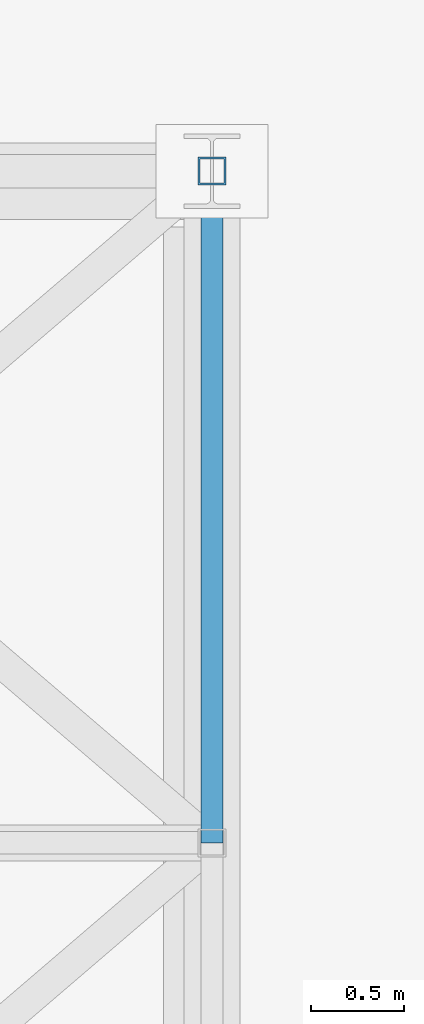
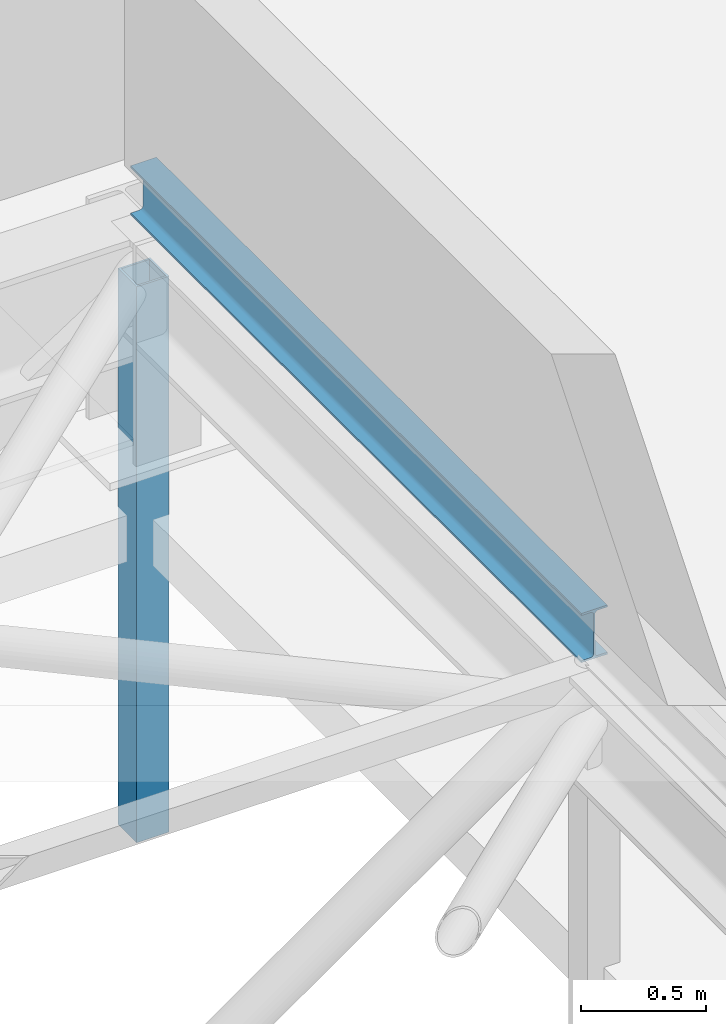
# One storey, part 29 of 45: 2 members.
"""IFC4 building model written with IfcOpenShell, lengths in metres."""

from ifc_helpers import new_model, si_unit, derived_unit, direction, frame, origin, origin_2d, place, context, subcontext, project, spatial, hollow_rectangle, i_section, extrude, material, material_profile, profile_set, type_object, element, save


model = new_model("IFC4")

# Units and contexts
model_context = context("Model", 3, precision=1e-05, world=origin(), true_north=direction((0.0, 1.0)))
body_context = subcontext(model_context, "Body", "Model", "MODEL_VIEW")
ifc_project = project(units=[si_unit("LENGTHUNIT", "METRE"), si_unit("AREAUNIT", "SQUARE_METRE"), si_unit("VOLUMEUNIT", "CUBIC_METRE"), si_unit("PLANEANGLEUNIT", "RADIAN"), si_unit("MASSUNIT", "GRAM", prefix="KILO"), derived_unit("THERMALTRANSMITTANCEUNIT", [(si_unit("MASSUNIT", "GRAM", prefix="KILO"), 1), (si_unit("TIMEUNIT", "SECOND"), -3), (si_unit("THERMODYNAMICTEMPERATUREUNIT", "KELVIN"), -1)])], contexts=[model_context])

# Site, building, storey
site_placement = place(None, origin())
site = spatial("IfcSite", under=ifc_project, at=site_placement, CompositionType="ELEMENT")
building_placement = place(site_placement, origin())
building = spatial("IfcBuilding", under=site, at=building_placement, Name="Veldstrom Oceanarium and Marine Research Institute", CompositionType="ELEMENT")
storey_placement = place(building_placement, frame((0.0, 0.0, 22.199951171875)))
storey = spatial("IfcBuildingStorey", under=building, at=storey_placement, Name="L04", CompositionType="ELEMENT", Elevation=22.199951171875)

# Members
ifc_material_1 = material(Name="Steel S355JR", Category="steel")
ifc_material_profile_1 = material_profile(ifc_material_1, i_section(OverallWidth=0.1201171875, OverallDepth=0.239990234375, WebThickness=0.006103515625, FlangeThickness=0.009765625, FilletRadius=0.014892578125, at=origin_2d()), Name="IPE 240")
ifc_profile_set_1 = profile_set([ifc_material_profile_1], Name="Steel S355JR")
member_type_1 = type_object("IfcMemberType", Name="STR-MEM-PR1", PredefinedType="PURLIN", material=ifc_profile_set_1)
member_1_placement = place(storey_placement, frame((42.0, 54.0, 1.22998046875), z_axis=(0.0, 1.0, 0.0), x_axis=(-1.0, 0.0, 0.0)))
element("IfcMember", 1, at=member_1_placement, inside=storey, type_object=member_type_1, Name="Hall Roof Purlin PR-13-9", PredefinedType="PURLIN", context=body_context, shape_type="SweptSolid", body=[
    extrude(i_section(OverallWidth=0.1201171875, OverallDepth=0.239990234375, WebThickness=0.006103515625, FlangeThickness=0.009765625, FilletRadius=0.014892578125, at=origin_2d()), origin(), (0.0, 0.0, 1.0), 3.60009765625),
])
ifc_material_2 = material(Name="Steel S355JR", Category="steel")
ifc_material_profile_2 = material_profile(ifc_material_2, hollow_rectangle(XDim=0.14990234375, YDim=0.14990234375, WallThickness=0.010009765625, at=origin_2d()), Name="SHS 150x150x10")
ifc_profile_set_2 = profile_set([ifc_material_profile_2], Name="Steel S355JR")
member_type_2 = type_object("IfcMemberType", Name="STR-MEM-PS1", PredefinedType="POST", material=ifc_profile_set_2)
member_2_placement = place(storey_placement, frame((42.0, 57.60009765625, -1.89990234375), z_axis=(0.0, 0.0, 1.0), x_axis=(1.0, 0.0, 0.0)))
element("IfcMember", 2, at=member_2_placement, inside=storey, type_object=member_type_2, Name="Truss Vertical Post RT13-7", PredefinedType="POST", context=body_context, shape_type="SweptSolid", body=[
    extrude(hollow_rectangle(XDim=0.14990234375, YDim=0.14990234375, WallThickness=0.010009765625, at=origin_2d()), origin(), (0.0, 0.0, 1.0), 2.7099609375),
])

save(model, "model.ifc")
